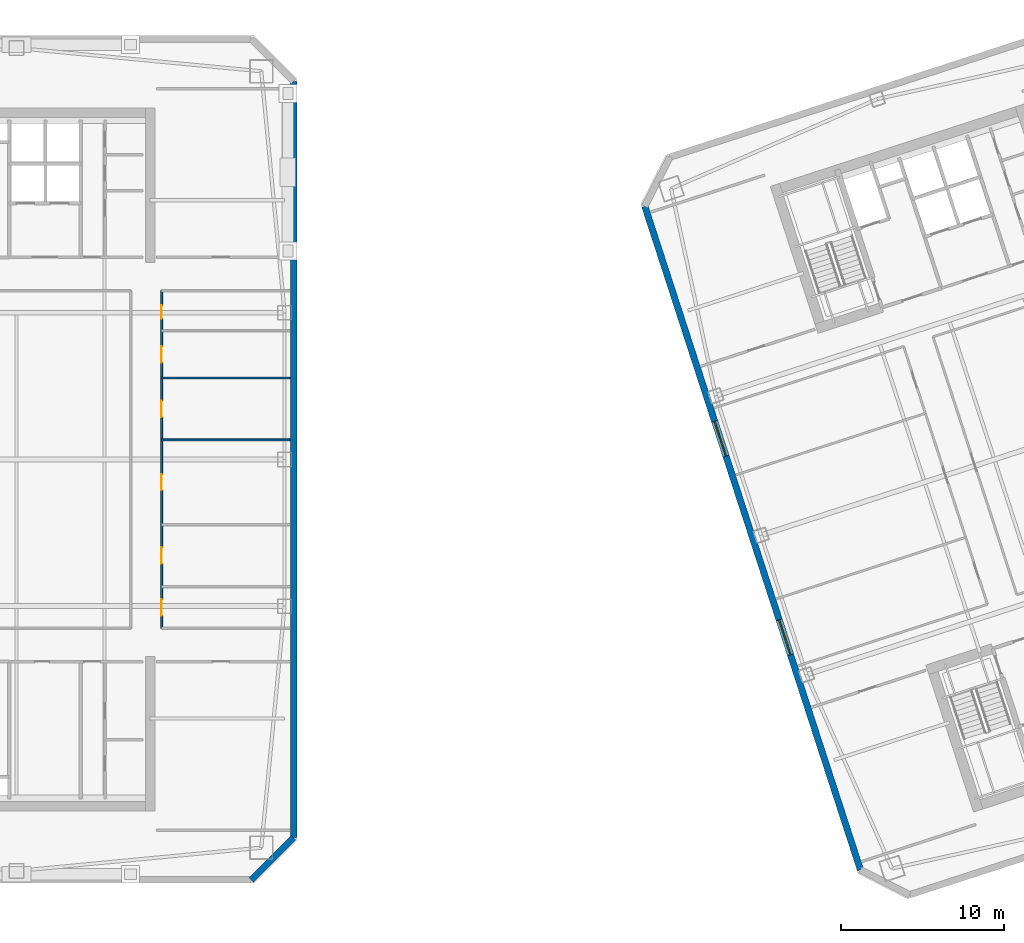
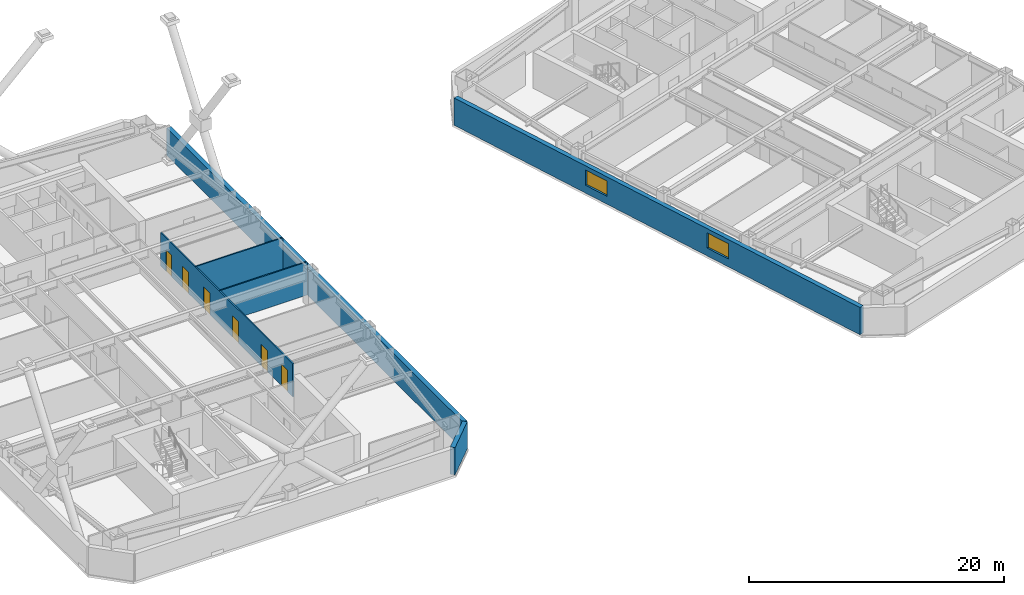
# One storey, part 7 of 14: 6 doors, 6 walls, 2 windows, 8 openings.
"""IFC4 building model written with IfcOpenShell, lengths in metres."""

from ifc_helpers import new_model, si_unit, direction, frame, frame_2d, origin, place, context, subcontext, project, spatial, rectangle, extrude, material, layer, layer_set, type_object, element, fill, save


model = new_model("IFC4")

# Units and contexts
model_context = context("Model", 3, precision=1e-05, world=origin(), true_north=direction((0.0, 1.0)))
body_context = subcontext(model_context, "Body", "Model", "MODEL_VIEW")
ifc_project = project(units=[si_unit("LENGTHUNIT", "METRE"), si_unit("AREAUNIT", "SQUARE_METRE"), si_unit("VOLUMEUNIT", "CUBIC_METRE"), si_unit("PLANEANGLEUNIT", "RADIAN"), si_unit("MASSUNIT", "GRAM", prefix="KILO")], contexts=[model_context])

# Site, building, storey
site_placement = place(None, origin())
site = spatial("IfcSite", under=ifc_project, at=site_placement, CompositionType="ELEMENT")
building_placement = place(site_placement, origin())
building = spatial("IfcBuilding", under=site, at=building_placement, Name="Qiaolan Cultural Towers", CompositionType="ELEMENT")
storey_placement = place(building_placement, frame((0.0, 0.0, 159.85009765625)))
storey = spatial("IfcBuildingStorey", under=building, at=storey_placement, Name="L42", CompositionType="ELEMENT", Elevation=159.85009765625)

# Walls
ifc_material_1 = material(Name="Precast Concrete C50 Honed Stone Pier", Category="masonry")
ifc_layer_1 = layer(ifc_material_1, 0.39990234375)
ifc_layer_set_1 = layer_set([ifc_layer_1], Name="Precast Concrete C50 Honed Stone Pier")
wall_type_1 = type_object("IfcWallType", Name="WL-EXT-PIER-400", PredefinedType="SOLIDWALL", material=ifc_layer_set_1)
wall_1_placement = place(storey_placement, frame((47.0, 57.199951171875, 0.0), z_axis=(0.0, 0.0, 1.0), x_axis=(0.0, -1.0, 0.0)))
element("IfcWall", 1, at=wall_1_placement, inside=storey, type_object=wall_type_1, Name="L42 West Tower Precast Pier Facade Wall F5", PredefinedType="SOLIDWALL", context=body_context, shape_type="SweptSolid", body=[
    extrude(rectangle(XDim=46.39990234375, YDim=0.39990234375, at=frame_2d((23.199951171875, 0.0))), origin(), (0.0, 0.0, 1.0), 2.60986328125),
])
wall_2_placement = place(storey_placement, frame((47.0, 10.800048828125, 0.0), z_axis=(0.0, 0.0, 1.0), x_axis=(-0.707106781187, -0.707106781187, 0.0)))
element("IfcWall", 2, at=wall_2_placement, inside=storey, type_object=wall_type_1, Name="L42 West Tower Precast Pier Facade Wall F6", PredefinedType="SOLIDWALL", context=body_context, shape_type="SweptSolid", body=[
    extrude(rectangle(XDim=3.677001953125, YDim=0.39990234375, at=frame_2d((1.83837890625, 0.0))), origin(), (0.0, 0.0, 1.0), 2.60986328125),
])

# Wall, openings, windows
wall_3_placement = place(storey_placement, frame((81.7763671875, 8.82666015625, 0.0), z_axis=(0.0, 0.0, 1.0), x_axis=(-0.309014228706, 0.951057414911, 0.0)))
wall_3 = element("IfcWall", 3, at=wall_3_placement, inside=storey, type_object=wall_type_1, Name="L42 East Tower Precast Pier Facade Wall F1", PredefinedType="SOLIDWALL", context=body_context, shape_type="SweptSolid", body=[
    extrude(rectangle(XDim=42.800048828125, YDim=0.39990234375, at=frame_2d((21.39990234375, 0.0))), origin(), (0.0, 0.0, 1.0), 2.60986328125),
])
opening_1_placement = place(wall_3_placement, frame((13.875, 0.0, 0.75)))
opening_1 = element("IfcOpeningElement", 4, at=opening_1_placement, cuts=wall_3, Name="Opening W-03", PredefinedType="OPENING", context=body_context, shape_type="SweptSolid", body=[
    extrude(rectangle(XDim=2.25, YDim=1.4599609375, at=frame_2d((1.125, 0.72998046875))), frame((0.0, 0.2099609375, 0.0), z_axis=(0.0, -1.0, 0.0), x_axis=(1.0, 0.0, 0.0)), (0.0, 0.0, 1.0), 0.419921875),
])
opening_2_placement = place(wall_3_placement, frame((26.675048828125, 0.0, 0.75)))
opening_2 = element("IfcOpeningElement", 5, at=opening_2_placement, cuts=wall_3, Name="Opening W-03", PredefinedType="OPENING", context=body_context, shape_type="SweptSolid", body=[
    extrude(rectangle(XDim=2.25, YDim=1.4599609375, at=frame_2d((1.125, 0.72998046875))), frame((0.0, 0.2099609375, 0.0), z_axis=(0.0, -1.0, 0.0), x_axis=(1.0, 0.0, 0.0)), (0.0, 0.0, 1.0), 0.419921875),
])
ifc_material_2 = material(Name="Thermally Broken Aluminium Triple Low-E Glazing", Category="aluminium")
window_type = type_object("IfcWindowType", Name="WN-CHIC-2250", PartitioningType="SINGLE_PANEL", PredefinedType="WINDOW", material=ifc_material_2)
window_1_placement = place(opening_1_placement, origin())
window_1 = element("IfcWindow", 6, at=window_1_placement, inside=storey, type_object=window_type, Name="L42 T2 W Chicago Bay Window 1", OverallHeight=1.4599609375, OverallWidth=2.25, PartitioningType="TRIPLE_PANEL_VERTICAL", PredefinedType="WINDOW", context=body_context, shape_type="SweptSolid", body=[
    extrude(rectangle(XDim=2.25, YDim=1.4599609375, at=frame_2d((1.125, 0.72998046875))), frame((0.0, 0.030029296875, 0.0), z_axis=(0.0, -1.0, 0.0), x_axis=(1.0, 0.0, 0.0)), (0.0, 0.0, 1.0), 0.06005859375),
])
fill(opening_1, window_1)
window_2_placement = place(opening_2_placement, origin())
window_2 = element("IfcWindow", 7, at=window_2_placement, inside=storey, type_object=window_type, Name="L42 T2 W Chicago Bay Window 2", OverallHeight=1.4599609375, OverallWidth=2.25, PartitioningType="TRIPLE_PANEL_VERTICAL", PredefinedType="WINDOW", context=body_context, shape_type="SweptSolid", body=[
    extrude(rectangle(XDim=2.25, YDim=1.4599609375, at=frame_2d((1.125, 0.72998046875))), frame((0.0, 0.030029296875, 0.0), z_axis=(0.0, -1.0, 0.0), x_axis=(1.0, 0.0, 0.0)), (0.0, 0.0, 1.0), 0.06005859375),
])
fill(opening_2, window_2)

# Wall, openings, doors
ifc_material_3 = material(Name="Gypsum Stud Acoustic Partition", Category="gypsum")
ifc_layer_2 = layer(ifc_material_3, 0.1201171875)
ifc_layer_set_2 = layer_set([ifc_layer_2], Name="Gypsum Stud Acoustic Partition")
wall_type_2 = type_object("IfcWallType", Name="WL-PART-120", PredefinedType="PARTITIONING", material=ifc_layer_set_2)
wall_4_placement = place(storey_placement, frame((38.89990234375, 23.64990234375, 0.0), z_axis=(0.0, 0.0, 1.0), x_axis=(0.0, 1.0, 0.0)))
wall_4 = element("IfcWall", 8, at=wall_4_placement, inside=storey, type_object=wall_type_2, Name="L42 T1 Interior Wall", PredefinedType="PARTITIONING", context=body_context, shape_type="SweptSolid", body=[
    extrude(rectangle(XDim=20.7001953125, YDim=0.1201171875, at=frame_2d((10.35009765625, 0.0))), origin(), (0.0, 0.0, 1.0), 3.1748046875),
])
opening_3_placement = place(wall_4_placement, frame((0.77490234375, 0.0, 0.0)))
opening_3 = element("IfcOpeningElement", 9, at=opening_3_placement, cuts=wall_4, Name="Opening ID-04", PredefinedType="OPENING", context=body_context, shape_type="SweptSolid", body=[
    extrude(rectangle(XDim=1.0, YDim=2.050048828125, at=frame_2d((0.5, 1.02490234375))), frame((0.0, 0.070068359375, 0.0), z_axis=(0.0, -1.0, 0.0), x_axis=(1.0, 0.0, 0.0)), (0.0, 0.0, 1.0), 0.14013671875),
])
opening_4_placement = place(wall_4_placement, frame((3.949951171875, 0.0, 0.0)))
opening_4 = element("IfcOpeningElement", 10, at=opening_4_placement, cuts=wall_4, Name="Opening ID-04", PredefinedType="OPENING", context=body_context, shape_type="SweptSolid", body=[
    extrude(rectangle(XDim=1.0, YDim=2.050048828125, at=frame_2d((0.5, 1.02490234375))), frame((0.0, 0.070068359375, 0.0), z_axis=(0.0, -1.0, 0.0), x_axis=(1.0, 0.0, 0.0)), (0.0, 0.0, 1.0), 0.14013671875),
])
opening_5_placement = place(wall_4_placement, frame((8.449951171875, 0.0, 0.0)))
opening_5 = element("IfcOpeningElement", 11, at=opening_5_placement, cuts=wall_4, Name="Opening ID-04", PredefinedType="OPENING", context=body_context, shape_type="SweptSolid", body=[
    extrude(rectangle(XDim=1.0, YDim=2.050048828125, at=frame_2d((0.5, 1.02490234375))), frame((0.0, 0.070068359375, 0.0), z_axis=(0.0, -1.0, 0.0), x_axis=(1.0, 0.0, 0.0)), (0.0, 0.0, 1.0), 0.14013671875),
])
opening_6_placement = place(wall_4_placement, frame((12.949951171875, 0.0, 0.0)))
opening_6 = element("IfcOpeningElement", 12, at=opening_6_placement, cuts=wall_4, Name="Opening ID-04", PredefinedType="OPENING", context=body_context, shape_type="SweptSolid", body=[
    extrude(rectangle(XDim=1.0, YDim=2.050048828125, at=frame_2d((0.5, 1.02490234375))), frame((0.0, 0.070068359375, 0.0), z_axis=(0.0, -1.0, 0.0), x_axis=(1.0, 0.0, 0.0)), (0.0, 0.0, 1.0), 0.14013671875),
])
opening_7_placement = place(wall_4_placement, frame((16.299072265625, 0.0, 0.0)))
opening_7 = element("IfcOpeningElement", 13, at=opening_7_placement, cuts=wall_4, Name="Opening ID-04", PredefinedType="OPENING", context=body_context, shape_type="SweptSolid", body=[
    extrude(rectangle(XDim=1.0, YDim=2.050048828125, at=frame_2d((0.5, 1.02490234375))), frame((0.0, 0.070068359375, 0.0), z_axis=(0.0, -1.0, 0.0), x_axis=(1.0, 0.0, 0.0)), (0.0, 0.0, 1.0), 0.14013671875),
])
opening_8_placement = place(wall_4_placement, frame((18.97412109375, 0.0, 0.0)))
opening_8 = element("IfcOpeningElement", 14, at=opening_8_placement, cuts=wall_4, Name="Opening ID-09", PredefinedType="OPENING", context=body_context, shape_type="SweptSolid", body=[
    extrude(rectangle(XDim=0.85009765625, YDim=2.050048828125, at=frame_2d((0.425048828125, 1.02490234375))), frame((0.0, 0.070068359375, 0.0), z_axis=(0.0, -1.0, 0.0), x_axis=(1.0, 0.0, 0.0)), (0.0, 0.0, 1.0), 0.14013671875),
])
ifc_material_4 = material(Name="Oak Veneer Acoustic Office Door", Category="timber")
door_type_1 = type_object("IfcDoorType", Name="DR-INT-1000", OperationType="NOTDEFINED", PredefinedType="DOOR", material=ifc_material_4)
door_1_placement = place(opening_3_placement, origin())
door_1 = element("IfcDoor", 15, at=door_1_placement, inside=storey, type_object=door_type_1, Name="L42 T1 Art Consultancy Shop Door", OperationType="SINGLE_SWING_RIGHT", OverallHeight=2.050048828125, OverallWidth=1.0, PredefinedType="DOOR", context=body_context, shape_type="SweptSolid", body=[
    extrude(rectangle(XDim=1.0, YDim=2.050048828125, at=frame_2d((0.5, 1.02490234375))), frame((0.0, 0.02490234375, 0.0), z_axis=(0.0, -1.0, 0.0), x_axis=(1.0, 0.0, 0.0)), (0.0, 0.0, 1.0), 0.050048828125),
])
fill(opening_3, door_1)
door_2_placement = place(opening_4_placement, origin())
door_2 = element("IfcDoor", 16, at=door_2_placement, inside=storey, type_object=door_type_1, Name="L42 T1 Art Consultancy Shop Door", OperationType="SINGLE_SWING_LEFT", OverallHeight=2.050048828125, OverallWidth=1.0, PredefinedType="DOOR", context=body_context, shape_type="SweptSolid", body=[
    extrude(rectangle(XDim=1.0, YDim=2.050048828125, at=frame_2d((0.5, 1.02490234375))), frame((0.0, 0.02490234375, 0.0), z_axis=(0.0, -1.0, 0.0), x_axis=(1.0, 0.0, 0.0)), (0.0, 0.0, 1.0), 0.050048828125),
])
fill(opening_4, door_2)
door_3_placement = place(opening_5_placement, origin())
door_3 = element("IfcDoor", 17, at=door_3_placement, inside=storey, type_object=door_type_1, Name="L42 T1 Art Consultancy Shop Door", OperationType="SINGLE_SWING_RIGHT", OverallHeight=2.050048828125, OverallWidth=1.0, PredefinedType="DOOR", context=body_context, shape_type="SweptSolid", body=[
    extrude(rectangle(XDim=1.0, YDim=2.050048828125, at=frame_2d((0.5, 1.02490234375))), frame((0.0, 0.02490234375, 0.0), z_axis=(0.0, -1.0, 0.0), x_axis=(1.0, 0.0, 0.0)), (0.0, 0.0, 1.0), 0.050048828125),
])
fill(opening_5, door_3)
door_4_placement = place(opening_6_placement, origin())
door_4 = element("IfcDoor", 18, at=door_4_placement, inside=storey, type_object=door_type_1, Name="L42 T1 Art Consultancy Shop Door", OperationType="SINGLE_SWING_LEFT", OverallHeight=2.050048828125, OverallWidth=1.0, PredefinedType="DOOR", context=body_context, shape_type="SweptSolid", body=[
    extrude(rectangle(XDim=1.0, YDim=2.050048828125, at=frame_2d((0.5, 1.02490234375))), frame((0.0, 0.02490234375, 0.0), z_axis=(0.0, -1.0, 0.0), x_axis=(1.0, 0.0, 0.0)), (0.0, 0.0, 1.0), 0.050048828125),
])
fill(opening_6, door_4)
door_5_placement = place(opening_7_placement, origin())
door_5 = element("IfcDoor", 19, at=door_5_placement, inside=storey, type_object=door_type_1, Name="L42 T1 Executive Office Door", OperationType="SINGLE_SWING_RIGHT", OverallHeight=2.050048828125, OverallWidth=1.0, PredefinedType="DOOR", context=body_context, shape_type="SweptSolid", body=[
    extrude(rectangle(XDim=1.0, YDim=2.050048828125, at=frame_2d((0.5, 1.02490234375))), frame((0.0, 0.02490234375, 0.0), z_axis=(0.0, -1.0, 0.0), x_axis=(1.0, 0.0, 0.0)), (0.0, 0.0, 1.0), 0.050048828125),
])
fill(opening_7, door_5)
ifc_material_5 = material(Name="Moisture-Resistant Laminate Utility Door", Category="timber")
door_type_2 = type_object("IfcDoorType", Name="DR-INT-850", OperationType="NOTDEFINED", PredefinedType="DOOR", material=ifc_material_5)
door_6_placement = place(opening_8_placement, origin())
door_6 = element("IfcDoor", 20, at=door_6_placement, inside=storey, type_object=door_type_2, Name="L42 T1 Tea Bar Door", OperationType="SINGLE_SWING_LEFT", OverallHeight=2.050048828125, OverallWidth=0.85009765625, PredefinedType="DOOR", context=body_context, shape_type="SweptSolid", body=[
    extrude(rectangle(XDim=0.85009765625, YDim=2.050048828125, at=frame_2d((0.425048828125, 1.02490234375))), frame((0.0, 0.02490234375, 0.0), z_axis=(0.0, -1.0, 0.0), x_axis=(1.0, 0.0, 0.0)), (0.0, 0.0, 1.0), 0.050048828125),
])
fill(opening_8, door_6)

# Walls
for number, where, z_axis, x_axis, name in (
    (21, (38.89990234375, 35.199951171875, 0.0), (0.0, 0.0, 1.0), (1.0, 0.0, 0.0), "L42 T1 Interior Wall"),
    (22, (38.89990234375, 39.0, 0.0), (0.0, 0.0, 1.0), (1.0, 0.0, 0.0), "L42 T1 Interior Wall"),
):
    element("IfcWall", number, at=place(storey_placement, frame(where, z_axis=z_axis, x_axis=x_axis)), inside=storey, type_object=wall_type_2, Name=name, PredefinedType="PARTITIONING", context=body_context, shape_type="SweptSolid", body=[
        extrude(rectangle(XDim=7.900146484375, YDim=0.1201171875, at=frame_2d((3.9501953125, 0.0))), origin(), (0.0, 0.0, 1.0), 3.1748046875),
    ])

save(model, "model.ifc")
